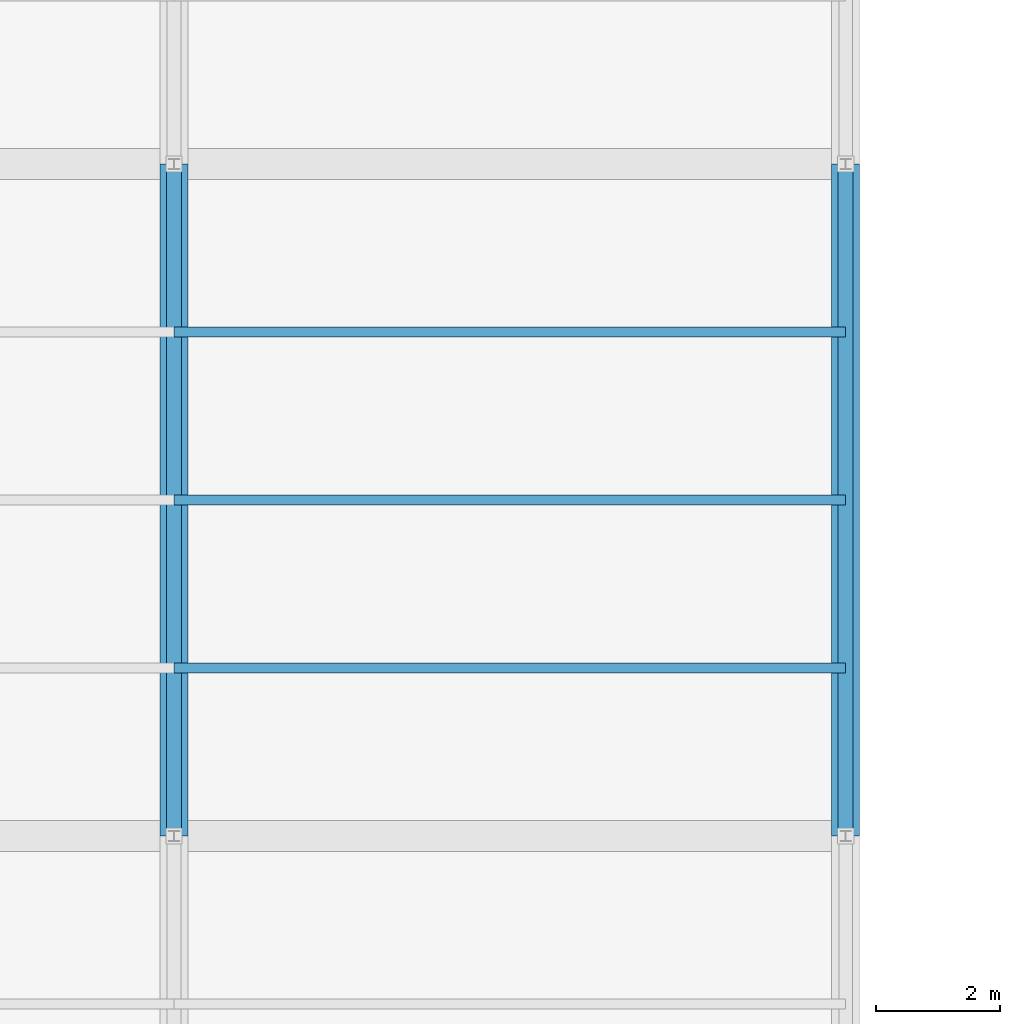
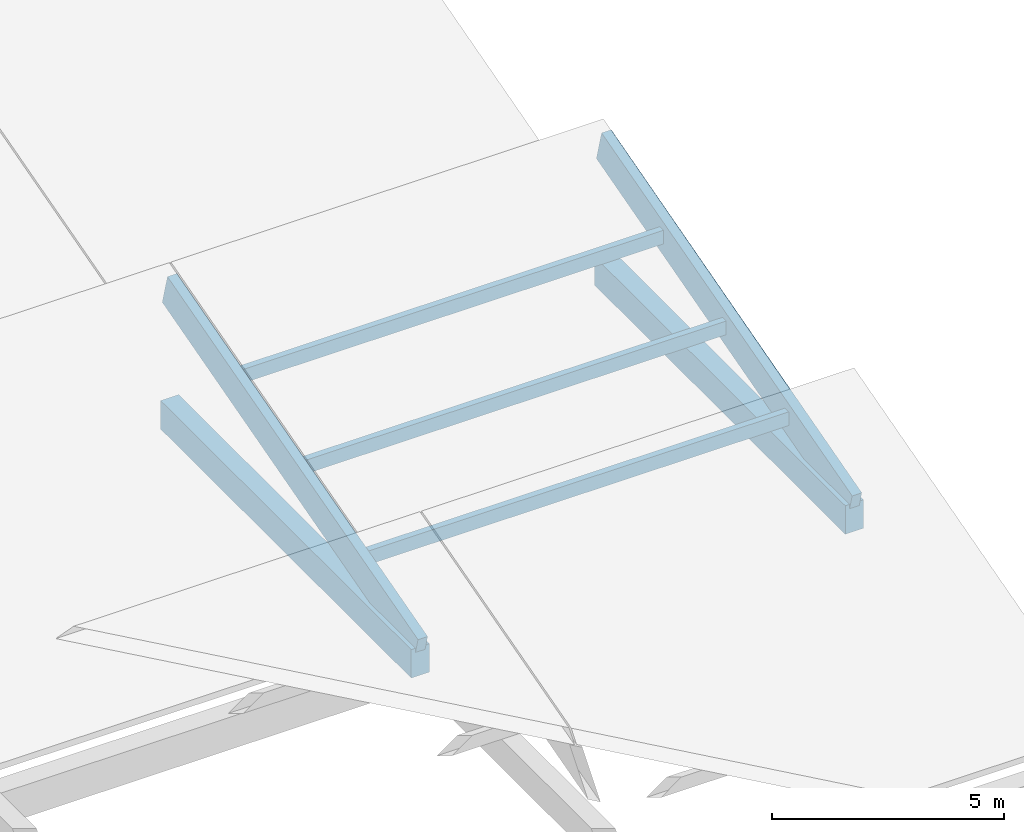
# One storey, part 8 of 112: 5 members, 2 beams.
"""IFC4 building model written with IfcOpenShell, lengths in metres."""

from ifc_helpers import new_model, si_unit, direction, frame, origin, origin_2d, place, context, subcontext, project, spatial, rectangle, extrude, material, material_profile, profile_set, type_object, element, save


model = new_model("IFC4")

# Units and contexts
model_context = context("Model", 3, precision=1e-05, world=origin(), true_north=direction((0.0, 1.0)))
body_context = subcontext(model_context, "Body", "Model", "MODEL_VIEW")
ifc_project = project(units=[si_unit("LENGTHUNIT", "METRE"), si_unit("AREAUNIT", "SQUARE_METRE"), si_unit("VOLUMEUNIT", "CUBIC_METRE"), si_unit("PLANEANGLEUNIT", "RADIAN"), si_unit("MASSUNIT", "GRAM", prefix="KILO")], contexts=[model_context])

# Site, building, storey
site_placement = place(None, origin())
site = spatial("IfcSite", under=ifc_project, at=site_placement, CompositionType="ELEMENT")
building_placement = place(site_placement, origin())
building = spatial("IfcBuilding", under=site, at=building_placement, Name="Zwinboog Wholesale Market", CompositionType="ELEMENT")
storey_placement = place(building_placement, frame((0.0, 0.0, 19.080078125)))
storey = spatial("IfcBuildingStorey", under=building, at=storey_placement, Name="Roof", CompositionType="ELEMENT", Elevation=19.080078125)

# Beams
ifc_material_1 = material(Name="Precast concrete C45/55", Category="concrete")
ifc_material_profile_1 = material_profile(ifc_material_1, rectangle(XDim=0.449951171875, YDim=0.75, at=origin_2d()), Name="PC 450x750")
ifc_profile_set_1 = profile_set([ifc_material_profile_1], Name="Precast concrete C45/55")
beam_type = type_object("IfcBeamType", Name="BT-04", PredefinedType="BEAM", material=ifc_profile_set_1)
for number, where, z_axis, x_axis, name in (
    (1, (32.39990234375, 21.60009765625, -9.375), (0.0, 1.0, 0.0), (-1.0, 0.0, 0.0), "BG-04 (BMG-Roof-0324-0216-1233)"),
    (2, (43.199951171875, 21.60009765625, -9.375), (0.0, 1.0, 0.0), (-1.0, 0.0, 0.0), "BG-04 (BMG-Roof-0432-0216-1243)"),
):
    element("IfcBeam", number, at=place(storey_placement, frame(where, z_axis=z_axis, x_axis=x_axis)), inside=storey, type_object=beam_type, Name=name, PredefinedType="BEAM", context=body_context, shape_type="SweptSolid", body=[
        extrude(rectangle(XDim=0.449951171875, YDim=0.75, at=origin_2d()), origin(), (0.0, 0.0, 1.0), 10.7998046875),
    ])

# Members
ifc_material_2 = material(Name="Glulam GL28h", Category="wood")
ifc_material_profile_2 = material_profile(ifc_material_2, rectangle(XDim=0.239990234375, YDim=0.840087890625, at=origin_2d()), Name="GL28h 240x840")
ifc_profile_set_2 = profile_set([ifc_material_profile_2], Name="Glulam GL28h")
member_type_1 = type_object("IfcMemberType", Name="MT-09", PredefinedType="RAFTER", material=ifc_profile_set_2)
for number, where, z_axis, x_axis, name in (
    (3, (32.39990234375, 21.60009765625, -9.11328125), (0.0, 0.963516661409, 0.267648357342), (-1.0, 0.0, 0.0), "GR-01 (MEM-Roof-0715)"),
    (4, (43.199951171875, 21.60009765625, -9.11328125), (0.0, 0.963516661409, 0.267648357342), (-1.0, 0.0, 0.0), "GR-01 (MEM-Roof-0717)"),
):
    element("IfcMember", number, at=place(storey_placement, frame(where, z_axis=z_axis, x_axis=x_axis)), inside=storey, type_object=member_type_1, Name=name, PredefinedType="RAFTER", context=body_context, shape_type="SweptSolid", body=[
        extrude(rectangle(XDim=0.239990234375, YDim=0.840087890625, at=origin_2d()), origin(), (0.0, 0.0, 1.0), 11.208740234375),
    ])
ifc_material_profile_3 = material_profile(ifc_material_2, rectangle(XDim=0.159912109375, YDim=0.360107421875, at=origin_2d()), Name="GL28h 160x360")
ifc_profile_set_3 = profile_set([ifc_material_profile_3], Name="Glulam GL28h")
member_type_2 = type_object("IfcMemberType", Name="MT-12", PredefinedType="PURLIN", material=ifc_profile_set_3)
for number, where, z_axis, x_axis, name in (
    (5, (32.39990234375, 24.300048828125, -8.333251953125), (1.0, 0.0, 0.0), (0.0, 1.0, 0.0), "GP-01 (MEM-Roof-0718)"),
    (6, (32.39990234375, 29.699951171875, -6.833251953125), (1.0, 0.0, 0.0), (0.0, 1.0, 0.0), "GP-01 (MEM-Roof-0719)"),
    (7, (32.39990234375, 27.0, -7.583251953125), (1.0, 0.0, 0.0), (0.0, 1.0, 0.0), "GP-01 (MEM-PRL-Roof-0012)"),
):
    element("IfcMember", number, at=place(storey_placement, frame(where, z_axis=z_axis, x_axis=x_axis)), inside=storey, type_object=member_type_2, Name=name, PredefinedType="PURLIN", context=body_context, shape_type="SweptSolid", body=[
        extrude(rectangle(XDim=0.159912109375, YDim=0.360107421875, at=origin_2d()), origin(), (0.0, 0.0, 1.0), 10.800048828125),
    ])

save(model, "model.ifc")
